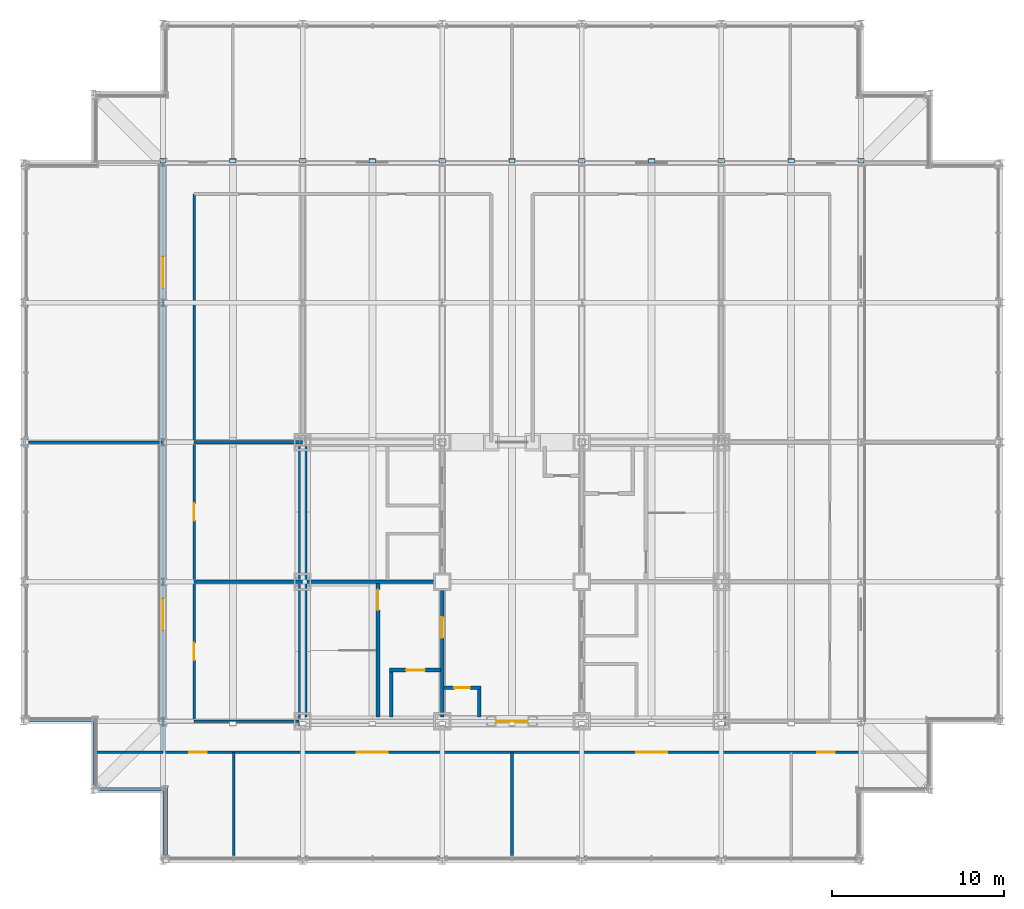
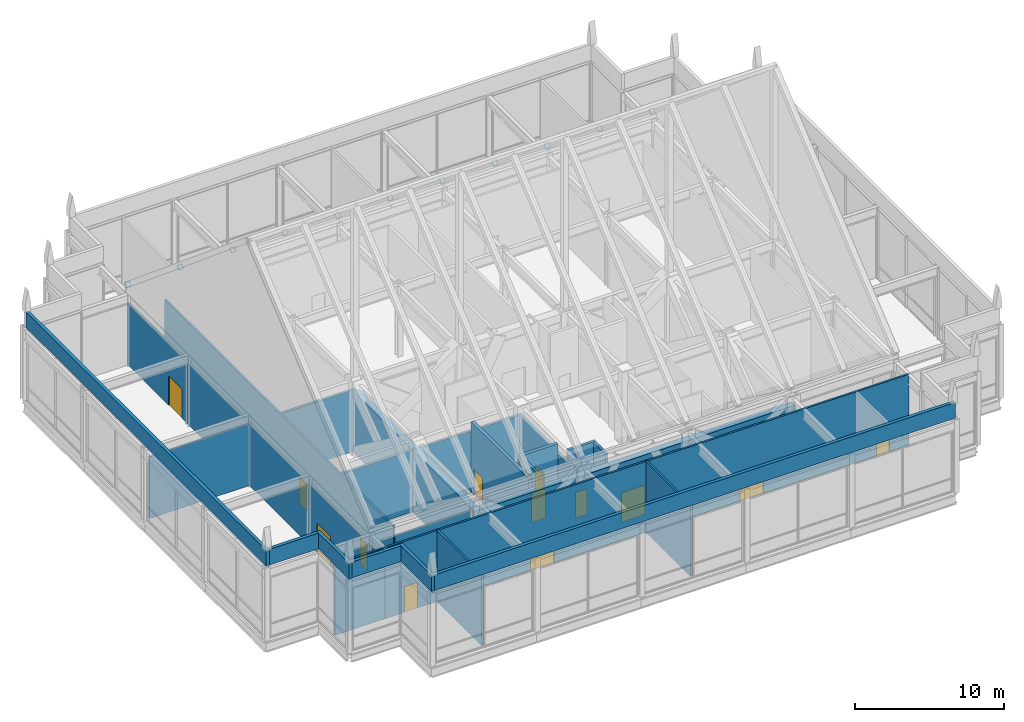
# One storey, part 19 of 22: 25 walls, 13 doors, 11 plates, 13 openings.
"""IFC4 building model written with IfcOpenShell, lengths in metres."""

import ifcopenshell
import ifcopenshell.guid

model = None  # the IFC model being written
_history = None  # IfcOwnerHistory: only IFC2X3 demands one
_inside = {}  # id of a spatial element -> (the spatial element, [elements in it])
_under = {}  # id of a project, library or spatial element -> (it, [spatial elements below it])
_declared = {}  # id of a project -> (the project, [libraries it declares])
_typed = {}  # id of a type object -> (the type object, [elements of that type])
_made_of = {}  # id of a material, layer set ... -> (it, [elements and type objects made of it])


def new_model(schema):
    """Start an empty IFC model of exactly this schema.

    Asked for "IFC4X3", IfcOpenShell would pick the latest addendum, in which some entities
    have other attributes; the version numbers below select the first issue.
    IFC2X3 requires an IfcOwnerHistory on every rooted entity: one is made here for all.
    """
    global model, _history
    if schema == "IFC4X3":
        model = ifcopenshell.file(schema_version=(4, 3, 0, 0))
    else:
        model = ifcopenshell.file(schema=schema)
    _inside.clear()
    _under.clear()
    _declared.clear()
    _typed.clear()
    _made_of.clear()
    _history = None
    if model.schema == "IFC2X3":
        org = make("IfcOrganization", Name="unknown")
        user = make(
            "IfcPersonAndOrganization",
            ThePerson=make("IfcPerson", FamilyName="unknown"),
            TheOrganization=org,
        )
        app = make(
            "IfcApplication",
            ApplicationDeveloper=org,
            Version="unknown",
            ApplicationFullName="unknown",
            ApplicationIdentifier="unknown",
        )
        _history = make(
            "IfcOwnerHistory",
            OwningUser=user,
            OwningApplication=app,
            ChangeAction="ADDED",
            CreationDate=0,
        )
    return model


def make(cls, **values):
    """One entity of the class cls with the attributes given. An attribute that is None is left unset."""
    return model.create_entity(
        cls, **{name: value for name, value in values.items() if value is not None}
    )


def rooted(cls, **values):
    """An entity with a GlobalId (a new one), such as an element, a storey or a relation."""
    return make(cls, GlobalId=ifcopenshell.guid.new(), OwnerHistory=_history, **values)


def si_unit(unit_type, name, prefix=None):
    """IfcSIUnit, for example si_unit("LENGTHUNIT", "METRE", prefix="MILLI")."""
    return make("IfcSIUnit", UnitType=unit_type, Prefix=prefix, Name=name)


def assignment(units):
    """IfcUnitAssignment: the units of a project."""
    return None if units is None else make("IfcUnitAssignment", Units=units)


def point(xyz):
    """IfcCartesianPoint."""
    return None if xyz is None else make("IfcCartesianPoint", Coordinates=xyz)


def direction(xyz):
    """IfcDirection."""
    return None if xyz is None else make("IfcDirection", DirectionRatios=xyz)


def frame(location, z_axis=None, x_axis=None):
    """IfcAxis2Placement3D, a coordinate frame: its origin and axes. An axis left out is left unset."""
    return make(
        "IfcAxis2Placement3D",
        Location=point(location),
        Axis=direction(z_axis),
        RefDirection=direction(x_axis),
    )


def frame_2d(location, x_axis=None):
    """IfcAxis2Placement2D, a coordinate frame in the plane: its origin and x axis."""
    return make(
        "IfcAxis2Placement2D", Location=point(location), RefDirection=direction(x_axis)
    )


def origin():
    """The frame at (0, 0, 0) with its axes left unset."""
    return frame((0.0, 0.0, 0.0))


def place(relative_to, where):
    """IfcLocalPlacement: puts the frame where relative to a parent placement (None: the world)."""
    return make(
        "IfcLocalPlacement", PlacementRelTo=relative_to, RelativePlacement=where
    )


def context(
    kind, dimensions, precision=None, world=None, true_north=None, identifier=None
):
    """IfcGeometricRepresentationContext, for example the 3D "Model" context."""
    return make(
        "IfcGeometricRepresentationContext",
        ContextIdentifier=identifier,
        ContextType=kind,
        CoordinateSpaceDimension=dimensions,
        Precision=precision,
        WorldCoordinateSystem=world,
        TrueNorth=true_north,
    )


def subcontext(parent, identifier, kind, view, scale=None):
    """IfcGeometricRepresentationSubContext, for example "Body" below "Model"."""
    return make(
        "IfcGeometricRepresentationSubContext",
        ContextIdentifier=identifier,
        ContextType=kind,
        ParentContext=parent,
        TargetScale=scale,
        TargetView=view,
    )


def project(units=None, contexts=None):
    """IfcProject with its units and contexts."""
    return rooted(
        "IfcProject",
        Name="project",
        RepresentationContexts=contexts,
        UnitsInContext=assignment(units),
    )


def spatial(cls, under=None, at=None, **own):
    """A site, building, storey or space (cls), placed at a placement, below another one or the project."""
    s = rooted(cls, ObjectPlacement=at, **own)
    if under is not None:
        _under.setdefault(under.id(), (under, []))[1].append(s)
    return s


def polyline(points):
    """IfcPolyline through the points."""
    return make("IfcPolyline", Points=[point(p) for p in points])


def profile(cls, at=None, kind="AREA", **sizes):
    """A parametric profile (cls). Its sizes go by their IFC names, for example OverallWidth=200.0."""
    return make(cls, ProfileType=kind, Position=at, **sizes)


def rectangle(**sizes):
    """IfcRectangleProfileDef."""
    return profile("IfcRectangleProfileDef", **sizes)


def outline(outer, holes=None, kind="AREA"):
    """IfcArbitraryClosedProfileDef: a profile drawn as a closed curve; with holes, ...WithVoids."""
    if holes is None:
        return make("IfcArbitraryClosedProfileDef", ProfileType=kind, OuterCurve=outer)
    return make(
        "IfcArbitraryProfileDefWithVoids",
        ProfileType=kind,
        OuterCurve=outer,
        InnerCurves=holes,
    )


def extrude(swept, where, along, depth):
    """IfcExtrudedAreaSolid: the profile swept, set in the frame where, extruded along a direction by depth."""
    return make(
        "IfcExtrudedAreaSolid",
        SweptArea=swept,
        Position=where,
        ExtrudedDirection=direction(along),
        Depth=depth,
    )


def shape(context_of_items, identifier, shape_type, items):
    """IfcShapeRepresentation: the items that make up one representation, for example the "Body"."""
    return make(
        "IfcShapeRepresentation",
        ContextOfItems=context_of_items,
        RepresentationIdentifier=identifier,
        RepresentationType=shape_type,
        Items=items,
    )


def material(Name=None, Category=None):
    """IfcMaterial."""
    return make("IfcMaterial", Name=Name, Category=Category)


def layer(
    of_material, thickness, ventilated=None, Name=None, Category=None, Priority=None
):
    """IfcMaterialLayer: one layer of a wall or slab, of a material (None: an air gap)."""
    return make(
        "IfcMaterialLayer",
        Material=of_material,
        LayerThickness=thickness,
        IsVentilated=ventilated,
        Name=Name,
        Category=Category,
        Priority=Priority,
    )


def layer_set(layers, Name=None):
    """IfcMaterialLayerSet."""
    return make("IfcMaterialLayerSet", MaterialLayers=layers, LayerSetName=Name)


def made_of(thing, what):
    """Note that an element or type object is made of a material, layer set ...; save() writes the relation."""
    if what is not None:
        _made_of.setdefault(what.id(), (what, []))[1].append(thing)
    return thing


def type_object(cls, material=None, **own):
    """A type object (cls), such as IfcWallType, which elements share."""
    return made_of(rooted(cls, **own), material)


def element(
    cls,
    number,
    at=None,
    inside=None,
    cuts=None,
    type_object=None,
    material=None,
    context=None,
    identifier="Body",
    shape_type=None,
    held_by="IfcProductDefinitionShape",
    body=None,
    shapes=None,
    **own,
):
    """One element of the class cls, such as IfcWall. Its Tag is "e" and its number.

    at: its placement. inside: the storey or other place that contains it. cuts: it is an
    opening in that element (IfcRelVoidsElement). A single representation is given by context,
    identifier, shape_type and body (its items); several are given by shapes. held_by: the class
    of the entity that holds the representations. save() writes the other relations.
    """
    e = rooted(cls, Tag="e%d" % number, ObjectPlacement=at, **own)
    if body is not None:
        shapes = [shape(context, identifier, shape_type, body)]
    if shapes is not None:
        e.Representation = make(held_by, Representations=shapes)
    if inside is not None:
        _inside.setdefault(inside.id(), (inside, []))[1].append(e)
    if cuts is not None:
        rooted(
            "IfcRelVoidsElement", RelatingBuildingElement=cuts, RelatedOpeningElement=e
        )
    if type_object is not None:
        _typed.setdefault(type_object.id(), (type_object, []))[1].append(e)
    return made_of(e, material)


def fill(opening, filler):
    """IfcRelFillsElement: the door or window that sits in an opening."""
    return rooted(
        "IfcRelFillsElement",
        RelatingOpeningElement=opening,
        RelatedBuildingElement=filler,
    )


def aggregate(whole, parts):
    """IfcRelAggregates: a whole, such as a stair, and the parts it consists of."""
    return rooted("IfcRelAggregates", RelatingObject=whole, RelatedObjects=parts)


def save(model, path):
    """Write the relations noted so far, then the file.

    IfcRelAggregates (storeys below a building ...), IfcRelContainedInSpatialStructure (elements
    in a storey), IfcRelDefinesByType, IfcRelAssociatesMaterial and IfcRelDeclares: one each for
    every whole, place, type object, material and project.
    """
    for whole, parts in _under.values():
        aggregate(whole, parts)
    for where, things in _inside.values():
        rooted(
            "IfcRelContainedInSpatialStructure",
            RelatedElements=things,
            RelatingStructure=where,
        )
    for kind, things in _typed.values():
        rooted("IfcRelDefinesByType", RelatedObjects=things, RelatingType=kind)
    for what, things in _made_of.values():
        rooted("IfcRelAssociatesMaterial", RelatedObjects=things, RelatingMaterial=what)
    for by, libraries in _declared.values():
        rooted("IfcRelDeclares", RelatingContext=by, RelatedDefinitions=libraries)
    model.write(path)


model = new_model("IFC4")

# Units and contexts
model_context = context("Model", 3, precision=1e-05, world=origin(), true_north=direction((0.0, 1.0)))
body_context = subcontext(model_context, "Body", "Model", "MODEL_VIEW")
ifc_project = project(units=[si_unit("LENGTHUNIT", "METRE"), si_unit("AREAUNIT", "SQUARE_METRE"), si_unit("VOLUMEUNIT", "CUBIC_METRE"), si_unit("PLANEANGLEUNIT", "RADIAN"), si_unit("MASSUNIT", "GRAM", prefix="KILO")], contexts=[model_context])

# Site, building, storey
site_placement = place(None, origin())
site = spatial("IfcSite", under=ifc_project, at=site_placement, CompositionType="ELEMENT")
building_placement = place(site_placement, origin())
building = spatial("IfcBuilding", under=site, at=building_placement, Name="Kopane Lantern Tower", CompositionType="ELEMENT")
storey_placement = place(building_placement, frame((0.0, 0.0, 303.89990234375)))
storey = spatial("IfcBuildingStorey", under=building, at=storey_placement, Name="L77", CompositionType="ELEMENT", Elevation=303.89990234375)

# Plates
ifc_material_1 = material(Name="Steel S355JR", Category="steel")
ifc_layer_1 = layer(ifc_material_1, 0.02490234375)
ifc_layer_set_1 = layer_set([ifc_layer_1], Name="STEEL END CAP PLATE PL25")
plate_type = type_object("IfcPlateType", Name="STEEL END CAP PLATE PL25", PredefinedType="USERDEFINED", material=ifc_layer_set_1)
for number, where, z_axis, x_axis, name in (
    (1, (7.91552734375, 56.704833984375, 6.32470703125), (0.0, -0.76816609319, 0.64025061755), (1.0, 0.0, 0.0), "Lantern rafter end cap plate N"),
    (2, (11.965576171875, 56.704833984375, 6.32470703125), (0.0, -0.76816609319, 0.64025061755), (1.0, 0.0, 0.0), "Lantern rafter end cap plate N"),
):
    element("IfcPlate", number, at=place(storey_placement, frame(where, z_axis=z_axis, x_axis=x_axis)), inside=storey, type_object=plate_type, Name=name, ObjectType="PLATE", PredefinedType="USERDEFINED", context=body_context, shape_type="SweptSolid", body=[
        extrude(outline(polyline([(0.0, 0.0), (0.368896484375, 0.0), (0.368896484375, 0.3626357054736039), (0.0, 0.3626357054736039), (0.0, 0.0)])), origin(), (0.0, 0.0, -1.0), 0.02490234375),
    ])
for number, where, z_axis, x_axis, name in (
    (3, (16.015380859375, 56.704833984375, 6.32470703125), (0.0, -0.76816609319, 0.64025061755), (1.0, 0.0, 0.0), "Lantern rafter end cap plate N"),
    (4, (20.0654296875, 56.704833984375, 6.32470703125), (0.0, -0.76816609319, 0.64025061755), (1.0, 0.0, 0.0), "Lantern rafter end cap plate N"),
    (5, (24.115478515625, 56.704833984375, 6.32470703125), (0.0, -0.76816609319, 0.64025061755), (1.0, 0.0, 0.0), "Lantern rafter end cap plate N"),
):
    element("IfcPlate", number, at=place(storey_placement, frame(where, z_axis=z_axis, x_axis=x_axis)), inside=storey, type_object=plate_type, Name=name, ObjectType="PLATE", PredefinedType="USERDEFINED", context=body_context, shape_type="SweptSolid", body=[
        extrude(outline(polyline([(0.0, 0.0), (0.369140625, 0.0), (0.369140625, 0.36263570547360385), (0.0, 0.36263570547360385), (0.0, 0.0)])), origin(), (0.0, 0.0, -1.0), 0.02490234375),
    ])
for number, where, z_axis, x_axis, name in (
    (6, (28.16552734375, 56.704833984375, 6.32470703125), (0.0, -0.76816609319, 0.64025061755), (1.0, 0.0, 0.0), "Lantern rafter end cap plate N"),
    (7, (32.215576171875, 56.704833984375, 6.32470703125), (0.0, -0.76816609319, 0.64025061755), (1.0, 0.0, 0.0), "Lantern rafter end cap plate N"),
):
    element("IfcPlate", number, at=place(storey_placement, frame(where, z_axis=z_axis, x_axis=x_axis)), inside=storey, type_object=plate_type, Name=name, ObjectType="PLATE", PredefinedType="USERDEFINED", context=body_context, shape_type="SweptSolid", body=[
        extrude(outline(polyline([(0.0, 0.0), (0.368896484375, 0.0), (0.368896484375, 0.3626357054736039), (0.0, 0.3626357054736039), (0.0, 0.0)])), origin(), (0.0, 0.0, -1.0), 0.02490234375),
    ])
for number, where, z_axis, x_axis, name in (
    (8, (36.265380859375, 56.704833984375, 6.32470703125), (0.0, -0.76816609319, 0.64025061755), (1.0, 0.0, 0.0), "Lantern rafter end cap plate N"),
    (9, (40.3154296875, 56.704833984375, 6.32470703125), (0.0, -0.76816609319, 0.64025061755), (1.0, 0.0, 0.0), "Lantern rafter end cap plate N"),
    (10, (44.365478515625, 56.704833984375, 6.32470703125), (0.0, -0.76816609319, 0.64025061755), (1.0, 0.0, 0.0), "Lantern rafter end cap plate N"),
):
    element("IfcPlate", number, at=place(storey_placement, frame(where, z_axis=z_axis, x_axis=x_axis)), inside=storey, type_object=plate_type, Name=name, ObjectType="PLATE", PredefinedType="USERDEFINED", context=body_context, shape_type="SweptSolid", body=[
        extrude(outline(polyline([(0.0, 0.0), (0.369140625, 0.0), (0.369140625, 0.36263570547360385), (0.0, 0.36263570547360385), (0.0, 0.0)])), origin(), (0.0, 0.0, -1.0), 0.02490234375),
    ])
plate_placement = place(storey_placement, frame((48.41552734375, 56.704833984375, 6.32470703125), z_axis=(0.0, -0.76816609319, 0.64025061755), x_axis=(1.0, 0.0, 0.0)))
element("IfcPlate", 11, at=plate_placement, inside=storey, type_object=plate_type, Name="Lantern rafter end cap plate N", ObjectType="PLATE", PredefinedType="USERDEFINED", context=body_context, shape_type="SweptSolid", body=[
    extrude(outline(polyline([(0.0, 0.0), (0.368896484375, 0.0), (0.368896484375, 0.3626357054736039), (0.0, 0.3626357054736039), (0.0, 0.0)])), origin(), (0.0, 0.0, -1.0), 0.02490234375),
])

# Wall, opening, door
ifc_material_2 = material(Name="Gypsum shaft wall EI 120", Category="gypsum")
ifc_layer_2 = layer(ifc_material_2, 0.5)
ifc_layer_set_2 = layer_set([ifc_layer_2], Name="CORE PERIMETER WALL 500 EI 120")
wall_type_1 = type_object("IfcWallType", Name="CORE PERIMETER WALL 500 EI 120", PredefinedType="SOLIDWALL", material=ifc_layer_set_2)
wall_1_placement = place(storey_placement, frame((15.949951171875, 24.300048828125, 0.0), z_axis=(0.0, 0.0, 1.0), x_axis=(1.0, 0.0, 0.0)))
wall_1 = element("IfcWall", 12, at=wall_1_placement, inside=storey, type_object=wall_type_1, Name="Core shaft wall L77 PS", PredefinedType="SOLIDWALL", context=body_context, shape_type="SweptSolid", body=[
    extrude(rectangle(XDim=24.800048828125, YDim=0.5, at=frame_2d((12.39990234375, 0.0))), origin(), (0.0, 0.0, 1.0), 5.037841796875),
])
opening_1_placement = place(wall_1_placement, frame((11.5, 0.0, 0.0)))
opening_1 = element("IfcOpeningElement", 13, at=opening_1_placement, cuts=wall_1, Name="Opening 77.CE-S", PredefinedType="OPENING", context=body_context, shape_type="SweptSolid", body=[
    extrude(rectangle(XDim=1.800048828125, YDim=2.39990234375, at=frame_2d((0.89990234375, 1.199951171875))), frame((0.0, 0.260009765625, 0.0), z_axis=(0.0, -1.0, 0.0), x_axis=(1.0, 0.0, 0.0)), (0.0, 0.0, 1.0), 0.52001953125),
])
ifc_material_3 = material(Name="Steel door set", Category="steel")
door_type_1 = type_object("IfcDoorType", Name="CORE ENTRY DOOR 1800x2400 FD60S", OperationType="DOUBLE_DOOR_SINGLE_SWING", PredefinedType="DOOR", material=ifc_material_3)
door_1_placement = place(opening_1_placement, origin())
door_1 = element("IfcDoor", 14, at=door_1_placement, inside=storey, type_object=door_type_1, Name="Core entry door L77 south", OperationType="DOUBLE_DOOR_SINGLE_SWING", OverallHeight=2.39990234375, OverallWidth=1.800048828125, PredefinedType="DOOR", context=body_context, shape_type="SweptSolid", body=[
    extrude(rectangle(XDim=1.800048828125, YDim=2.39990234375, at=frame_2d((0.89990234375, 1.199951171875))), frame((0.0, 0.02490234375, 0.0), z_axis=(0.0, -1.0, 0.0), x_axis=(1.0, 0.0, 0.0)), (0.0, 0.0, 1.0), 0.050048828125),
])
fill(opening_1, door_1)

# Wall
wall_2_placement = place(storey_placement, frame((16.199951171875, 24.550048828125, 0.0), z_axis=(0.0, 0.0, 1.0), x_axis=(0.0, 1.0, 0.0)))
element("IfcWall", 15, at=wall_2_placement, inside=storey, type_object=wall_type_1, Name="Core shaft wall L77 PW", PredefinedType="SOLIDWALL", context=body_context, shape_type="SweptSolid", body=[
    extrude(rectangle(XDim=15.699951171875, YDim=0.5, at=frame_2d((7.85009765625, 0.0))), origin(), (0.0, 0.0, 1.0), 5.037841796875),
])

# Wall, opening, door
ifc_material_4 = material(Name="Gypsum shaft wall EI 120", Category="gypsum")
ifc_layer_3 = layer(ifc_material_4, 0.25)
ifc_layer_set_3 = layer_set([ifc_layer_3], Name="CORE SHAFT WALL 250 EI 120")
wall_type_2 = type_object("IfcWallType", Name="CORE SHAFT WALL 250 EI 120", PredefinedType="SOLIDWALL", material=ifc_layer_set_3)
wall_3_placement = place(storey_placement, frame((20.574951171875, 24.550048828125, 0.0), z_axis=(0.0, 0.0, 1.0), x_axis=(0.0, 1.0, 0.0)))
wall_3 = element("IfcWall", 16, at=wall_3_placement, inside=storey, type_object=wall_type_2, Name="Core shaft wall L77 XST1", PredefinedType="SOLIDWALL", context=body_context, shape_type="SweptSolid", body=[
    extrude(rectangle(XDim=7.75, YDim=0.25, at=frame_2d((3.875, 0.0))), origin(), (0.0, 0.0, 1.0), 5.800048828125),
])
opening_2_placement = place(wall_3_placement, frame((6.199951171875, 0.0, 0.0)))
opening_2 = element("IfcOpeningElement", 17, at=opening_2_placement, cuts=wall_3, Name="Opening 77.SD1", PredefinedType="OPENING", context=body_context, shape_type="SweptSolid", body=[
    extrude(rectangle(XDim=1.199951171875, YDim=2.10009765625, at=frame_2d((0.60009765625, 1.050048828125))), frame((0.0, 0.135009765625, 0.0), z_axis=(0.0, -1.0, 0.0), x_axis=(1.0, 0.0, 0.0)), (0.0, 0.0, 1.0), 0.27001953125),
])
ifc_material_5 = material(Name="Steel door set", Category="steel")
door_type_2 = type_object("IfcDoorType", Name="STAIR DOOR 1200x2100 FD60S", OperationType="SINGLE_SWING_LEFT", PredefinedType="DOOR", material=ifc_material_5)
door_2_placement = place(opening_2_placement, origin())
door_2 = element("IfcDoor", 18, at=door_2_placement, inside=storey, type_object=door_type_2, Name="Stair door ST1 L77", OperationType="SINGLE_SWING_LEFT", OverallHeight=2.10009765625, OverallWidth=1.199951171875, PredefinedType="DOOR", context=body_context, shape_type="SweptSolid", body=[
    extrude(rectangle(XDim=1.199951171875, YDim=2.10009765625, at=frame_2d((0.60009765625, 1.050048828125))), frame((0.0, 0.02490234375, 0.0), z_axis=(0.0, -1.0, 0.0), x_axis=(1.0, 0.0, 0.0)), (0.0, 0.0, 1.0), 0.050048828125),
])
fill(opening_2, door_2)

wall_4_placement = place(storey_placement, frame((21.25, 27.27490234375, 0.0), z_axis=(0.0, 0.0, 1.0), x_axis=(1.0, 0.0, 0.0)))
wall_4 = element("IfcWall", 19, at=wall_4_placement, inside=storey, type_object=wall_type_2, Name="Core shaft wall L77 YLF1", PredefinedType="SOLIDWALL", context=body_context, shape_type="SweptSolid", body=[
    extrude(rectangle(XDim=2.949951171875, YDim=0.25, at=frame_2d((1.47509765625, 0.0))), origin(), (0.0, 0.0, 1.0), 5.800048828125),
])
opening_3_placement = place(wall_4_placement, frame((0.949951171875, 0.0, 0.0)))
opening_3 = element("IfcOpeningElement", 20, at=opening_3_placement, cuts=wall_4, Name="Opening 77.LD-LF1", PredefinedType="OPENING", context=body_context, shape_type="SweptSolid", body=[
    extrude(rectangle(XDim=1.10009765625, YDim=2.39990234375, at=frame_2d((0.550048828125, 1.199951171875))), frame((0.0, 0.135009765625, 0.0), z_axis=(0.0, -1.0, 0.0), x_axis=(1.0, 0.0, 0.0)), (0.0, 0.0, 1.0), 0.27001953125),
])
ifc_material_6 = material(Name="Steel door set", Category="steel")
door_type_3 = type_object("IfcDoorType", Name="LIFT LANDING DOOR 1100x2400 FD60", OperationType="DOUBLE_DOOR_SLIDING", PredefinedType="DOOR", material=ifc_material_6)
door_3_placement = place(opening_3_placement, origin())
door_3 = element("IfcDoor", 21, at=door_3_placement, inside=storey, type_object=door_type_3, Name="Landing door LF1 L77", OperationType="DOUBLE_DOOR_SLIDING", OverallHeight=2.39990234375, OverallWidth=1.10009765625, PredefinedType="DOOR", context=body_context, shape_type="SweptSolid", body=[
    extrude(rectangle(XDim=1.10009765625, YDim=2.39990234375, at=frame_2d((0.550048828125, 1.199951171875))), frame((0.0, 0.02490234375, 0.0), z_axis=(0.0, -1.0, 0.0), x_axis=(1.0, 0.0, 0.0)), (0.0, 0.0, 1.0), 0.050048828125),
])
fill(opening_3, door_3)

# Wall, openings, doors
ifc_material_7 = material(Name="Gypsum board on steel studs", Category="steel")
ifc_layer_4 = layer(ifc_material_7, 0.14990234375)
ifc_layer_set_4 = layer_set([ifc_layer_4], Name="CORRIDOR WALL 150 EI 60")
wall_type_3 = type_object("IfcWallType", Name="CORRIDOR WALL 150 EI 60", PredefinedType="PARTITIONING", material=ifc_layer_set_4)
wall_5_placement = place(storey_placement, frame((8.10009765625, 22.5, 0.0), z_axis=(0.0, 0.0, 1.0), x_axis=(1.0, 0.0, 0.0)))
wall_5 = element("IfcWall", 22, at=wall_5_placement, inside=storey, type_object=wall_type_3, Name="Corridor Wall 150 Ei 60 L77", PredefinedType="PARTITIONING", context=body_context, shape_type="SweptSolid", body=[
    extrude(rectangle(XDim=40.5, YDim=0.14990234375, at=frame_2d((20.25, 0.0))), origin(), (0.0, 0.0, 1.0), 5.800048828125),
])
opening_4_placement = place(wall_5_placement, frame((11.25, 0.0, 0.0)))
opening_4 = element("IfcOpeningElement", 23, at=opening_4_placement, cuts=wall_5, Name="Opening L77-009", PredefinedType="OPENING", context=body_context, shape_type="SweptSolid", body=[
    extrude(rectangle(XDim=1.800048828125, YDim=2.39990234375, at=frame_2d((0.89990234375, 1.199951171875))), frame((0.0, 0.0849609375, 0.0), z_axis=(0.0, -1.0, 0.0), x_axis=(1.0, 0.0, 0.0)), (0.0, 0.0, 1.0), 0.169921875),
])
opening_5_placement = place(wall_5_placement, frame((27.449951171875, 0.0, 0.0)))
opening_5 = element("IfcOpeningElement", 24, at=opening_5_placement, cuts=wall_5, Name="Opening L77-010", PredefinedType="OPENING", context=body_context, shape_type="SweptSolid", body=[
    extrude(rectangle(XDim=1.800048828125, YDim=2.39990234375, at=frame_2d((0.89990234375, 1.199951171875))), frame((0.0, 0.0849609375, 0.0), z_axis=(0.0, -1.0, 0.0), x_axis=(1.0, 0.0, 0.0)), (0.0, 0.0, 1.0), 0.169921875),
])
opening_6_placement = place(wall_5_placement, frame((1.52490234375, 0.0, 0.0)))
opening_6 = element("IfcOpeningElement", 25, at=opening_6_placement, cuts=wall_5, Name="Opening L77-017", PredefinedType="OPENING", context=body_context, shape_type="SweptSolid", body=[
    extrude(rectangle(XDim=1.0, YDim=2.10009765625, at=frame_2d((0.5, 1.050048828125))), frame((0.0, 0.0849609375, 0.0), z_axis=(0.0, -1.0, 0.0), x_axis=(1.0, 0.0, 0.0)), (0.0, 0.0, 1.0), 0.169921875),
])
opening_7_placement = place(wall_5_placement, frame((37.97509765625, 0.0, 0.0)))
opening_7 = element("IfcOpeningElement", 26, at=opening_7_placement, cuts=wall_5, Name="Opening L77-018", PredefinedType="OPENING", context=body_context, shape_type="SweptSolid", body=[
    extrude(rectangle(XDim=1.0, YDim=2.10009765625, at=frame_2d((0.5, 1.050048828125))), frame((0.0, 0.0849609375, 0.0), z_axis=(0.0, -1.0, 0.0), x_axis=(1.0, 0.0, 0.0)), (0.0, 0.0, 1.0), 0.169921875),
])
ifc_material_8 = material(Name="Steel door set", Category="steel")
door_type_4 = type_object("IfcDoorType", Name="DOOR D5 1000x2100 FD60", OperationType="SINGLE_SWING_LEFT", PredefinedType="DOOR", material=ifc_material_8)
door_4_placement = place(opening_6_placement, origin())
door_4 = element("IfcDoor", 27, at=door_4_placement, inside=storey, type_object=door_type_4, Name="Door L77-017", OperationType="SINGLE_SWING_LEFT", OverallHeight=2.10009765625, OverallWidth=1.0, PredefinedType="DOOR", context=body_context, shape_type="SweptSolid", body=[
    extrude(rectangle(XDim=1.0, YDim=2.10009765625, at=frame_2d((0.5, 1.050048828125))), frame((0.0, 0.02490234375, 0.0), z_axis=(0.0, -1.0, 0.0), x_axis=(1.0, 0.0, 0.0)), (0.0, 0.0, 1.0), 0.050048828125),
])
fill(opening_6, door_4)
door_5_placement = place(opening_7_placement, origin())
door_5 = element("IfcDoor", 28, at=door_5_placement, inside=storey, type_object=door_type_4, Name="Door L77-018", OperationType="SINGLE_SWING_RIGHT", OverallHeight=2.10009765625, OverallWidth=1.0, PredefinedType="DOOR", context=body_context, shape_type="SweptSolid", body=[
    extrude(rectangle(XDim=1.0, YDim=2.10009765625, at=frame_2d((0.5, 1.050048828125))), frame((0.0, 0.02490234375, 0.0), z_axis=(0.0, -1.0, 0.0), x_axis=(1.0, 0.0, 0.0)), (0.0, 0.0, 1.0), 0.050048828125),
])
fill(opening_7, door_5)
ifc_material_9 = material(Name="Steel door set", Category="steel")
door_type_5 = type_object("IfcDoorType", Name="DOOR D8 1800x2400 FD120", OperationType="SINGLE_SWING_LEFT", PredefinedType="DOOR", material=ifc_material_9)
door_6_placement = place(opening_4_placement, origin())
door_6 = element("IfcDoor", 29, at=door_6_placement, inside=storey, type_object=door_type_5, Name="Door L77-009", OperationType="DOUBLE_DOOR_SINGLE_SWING", OverallHeight=2.39990234375, OverallWidth=1.800048828125, PredefinedType="DOOR", context=body_context, shape_type="SweptSolid", body=[
    extrude(rectangle(XDim=1.800048828125, YDim=2.39990234375, at=frame_2d((0.89990234375, 1.199951171875))), frame((0.0, 0.02490234375, 0.0), z_axis=(0.0, -1.0, 0.0), x_axis=(1.0, 0.0, 0.0)), (0.0, 0.0, 1.0), 0.050048828125),
])
fill(opening_4, door_6)
door_7_placement = place(opening_5_placement, origin())
door_7 = element("IfcDoor", 30, at=door_7_placement, inside=storey, type_object=door_type_5, Name="Door L77-010", OperationType="DOUBLE_DOOR_SINGLE_SWING", OverallHeight=2.39990234375, OverallWidth=1.800048828125, PredefinedType="DOOR", context=body_context, shape_type="SweptSolid", body=[
    extrude(rectangle(XDim=1.800048828125, YDim=2.39990234375, at=frame_2d((0.89990234375, 1.199951171875))), frame((0.0, 0.02490234375, 0.0), z_axis=(0.0, -1.0, 0.0), x_axis=(1.0, 0.0, 0.0)), (0.0, 0.0, 1.0), 0.050048828125),
])
fill(opening_5, door_7)

wall_6_placement = place(storey_placement, frame((8.10009765625, 22.5, 0.0), z_axis=(0.0, 0.0, 1.0), x_axis=(0.0, 1.0, 0.0)))
wall_6 = element("IfcWall", 31, at=wall_6_placement, inside=storey, type_object=wall_type_3, Name="Corridor Wall 150 Ei 60 L77", PredefinedType="PARTITIONING", context=body_context, shape_type="SweptSolid", body=[
    extrude(rectangle(XDim=34.239990234375, YDim=0.14990234375, at=frame_2d((17.1201171875, 0.0))), origin(), (0.0, 0.0, 1.0), 5.037841796875),
])
opening_8_placement = place(wall_6_placement, frame((7.10009765625, 0.0, 0.0)))
opening_8 = element("IfcOpeningElement", 32, at=opening_8_placement, cuts=wall_6, Name="Opening L77-013", PredefinedType="OPENING", context=body_context, shape_type="SweptSolid", body=[
    extrude(rectangle(XDim=1.800048828125, YDim=2.39990234375, at=frame_2d((0.89990234375, 1.199951171875))), frame((0.0, 0.0849609375, 0.0), z_axis=(0.0, -1.0, 0.0), x_axis=(1.0, 0.0, 0.0)), (0.0, 0.0, 1.0), 0.169921875),
])
opening_9_placement = place(wall_6_placement, frame((26.949951171875, 0.0, 0.0)))
opening_9 = element("IfcOpeningElement", 33, at=opening_9_placement, cuts=wall_6, Name="Opening L77-014", PredefinedType="OPENING", context=body_context, shape_type="SweptSolid", body=[
    extrude(rectangle(XDim=1.800048828125, YDim=2.39990234375, at=frame_2d((0.89990234375, 1.199951171875))), frame((0.0, 0.0849609375, 0.0), z_axis=(0.0, -1.0, 0.0), x_axis=(1.0, 0.0, 0.0)), (0.0, 0.0, 1.0), 0.169921875),
])
door_8_placement = place(opening_8_placement, origin())
door_8 = element("IfcDoor", 34, at=door_8_placement, inside=storey, type_object=door_type_5, Name="Door L77-013", OperationType="DOUBLE_DOOR_SINGLE_SWING", OverallHeight=2.39990234375, OverallWidth=1.800048828125, PredefinedType="DOOR", context=body_context, shape_type="SweptSolid", body=[
    extrude(rectangle(XDim=1.800048828125, YDim=2.39990234375, at=frame_2d((0.89990234375, 1.199951171875))), frame((0.0, 0.02490234375, 0.0), z_axis=(0.0, -1.0, 0.0), x_axis=(1.0, 0.0, 0.0)), (0.0, 0.0, 1.0), 0.050048828125),
])
fill(opening_8, door_8)
door_9_placement = place(opening_9_placement, origin())
door_9 = element("IfcDoor", 35, at=door_9_placement, inside=storey, type_object=door_type_5, Name="Door L77-014", OperationType="DOUBLE_DOOR_SINGLE_SWING", OverallHeight=2.39990234375, OverallWidth=1.800048828125, PredefinedType="DOOR", context=body_context, shape_type="SweptSolid", body=[
    extrude(rectangle(XDim=1.800048828125, YDim=2.39990234375, at=frame_2d((0.89990234375, 1.199951171875))), frame((0.0, 0.02490234375, 0.0), z_axis=(0.0, -1.0, 0.0), x_axis=(1.0, 0.0, 0.0)), (0.0, 0.0, 1.0), 0.050048828125),
])
fill(opening_9, door_9)

wall_7_placement = place(storey_placement, frame((9.89990234375, 54.89990234375, 0.0), z_axis=(0.0, 0.0, 1.0), x_axis=(0.0, -1.0, 0.0)))
wall_7 = element("IfcWall", 36, at=wall_7_placement, inside=storey, type_object=wall_type_3, Name="Corridor Wall 150 Ei 60 L77", PredefinedType="PARTITIONING", context=body_context, shape_type="SweptSolid", body=[
    extrude(rectangle(XDim=30.599853515625, YDim=0.14990234375, at=frame_2d((15.2998046875, 0.0))), origin(), (0.0, 0.0, 1.0), 5.800048828125),
])
opening_10_placement = place(wall_7_placement, frame((26.050048828125, 0.0, 0.0)))
opening_10 = element("IfcOpeningElement", 37, at=opening_10_placement, cuts=wall_7, Name="Opening L77-001", PredefinedType="OPENING", context=body_context, shape_type="SweptSolid", body=[
    extrude(rectangle(XDim=1.0, YDim=2.10009765625, at=frame_2d((0.5, 1.050048828125))), frame((0.0, 0.0849609375, 0.0), z_axis=(0.0, -1.0, 0.0), x_axis=(1.0, 0.0, 0.0)), (0.0, 0.0, 1.0), 0.169921875),
])
opening_11_placement = place(wall_7_placement, frame((17.949951171875, 0.0, 0.0)))
opening_11 = element("IfcOpeningElement", 38, at=opening_11_placement, cuts=wall_7, Name="Opening L77-002", PredefinedType="OPENING", context=body_context, shape_type="SweptSolid", body=[
    extrude(rectangle(XDim=1.0, YDim=2.10009765625, at=frame_2d((0.5, 1.050048828125))), frame((0.0, 0.0849609375, 0.0), z_axis=(0.0, -1.0, 0.0), x_axis=(1.0, 0.0, 0.0)), (0.0, 0.0, 1.0), 0.169921875),
])
door_10_placement = place(opening_10_placement, origin())
door_10 = element("IfcDoor", 39, at=door_10_placement, inside=storey, type_object=door_type_4, Name="Door L77-001", OperationType="SINGLE_SWING_RIGHT", OverallHeight=2.10009765625, OverallWidth=1.0, PredefinedType="DOOR", context=body_context, shape_type="SweptSolid", body=[
    extrude(rectangle(XDim=1.0, YDim=2.10009765625, at=frame_2d((0.5, 1.050048828125))), frame((0.0, 0.02490234375, 0.0), z_axis=(0.0, -1.0, 0.0), x_axis=(1.0, 0.0, 0.0)), (0.0, 0.0, 1.0), 0.050048828125),
])
fill(opening_10, door_10)
door_11_placement = place(opening_11_placement, origin())
door_11 = element("IfcDoor", 40, at=door_11_placement, inside=storey, type_object=door_type_4, Name="Door L77-002", OperationType="SINGLE_SWING_LEFT", OverallHeight=2.10009765625, OverallWidth=1.0, PredefinedType="DOOR", context=body_context, shape_type="SweptSolid", body=[
    extrude(rectangle(XDim=1.0, YDim=2.10009765625, at=frame_2d((0.5, 1.050048828125))), frame((0.0, 0.02490234375, 0.0), z_axis=(0.0, -1.0, 0.0), x_axis=(1.0, 0.0, 0.0)), (0.0, 0.0, 1.0), 0.050048828125),
])
fill(opening_11, door_11)

# Walls
wall_8_placement = place(storey_placement, frame((9.89990234375, 24.300048828125, 0.0), z_axis=(0.0, 0.0, 1.0), x_axis=(1.0, 0.0, 0.0)))
element("IfcWall", 41, at=wall_8_placement, inside=storey, type_object=wall_type_3, Name="Corridor Wall 150 Ei 60 L77", PredefinedType="PARTITIONING", context=body_context, shape_type="SweptSolid", body=[
    extrude(rectangle(XDim=6.10009765625, YDim=0.14990234375, at=frame_2d((3.050048828125, 0.0))), origin(), (0.0, 0.0, 1.0), 5.037841796875),
])
ifc_material_10 = material(Name="Gypsum board on steel studs", Category="steel")
ifc_layer_5 = layer(ifc_material_10, 0.14990234375)
ifc_layer_set_5 = layer_set([ifc_layer_5], Name="DEMISING WALL 150 EI 60")
wall_type_4 = type_object("IfcWallType", Name="DEMISING WALL 150 EI 60", PredefinedType="PARTITIONING", material=ifc_layer_set_5)
wall_9_placement = place(storey_placement, frame((28.35009765625, 22.5, 0.0), z_axis=(0.0, 0.0, 1.0), x_axis=(0.0, -1.0, 0.0)))
element("IfcWall", 42, at=wall_9_placement, inside=storey, type_object=wall_type_4, Name="Demising Wall 150 Ei 60 L77", PredefinedType="PARTITIONING", context=body_context, shape_type="SweptSolid", body=[
    extrude(rectangle(XDim=6.007080078125, YDim=0.14990234375, at=frame_2d((3.00341796875, 0.0))), origin(), (0.0, 0.0, 1.0), 5.800048828125),
])
wall_10_placement = place(storey_placement, frame((8.10009765625, 40.5, 0.0), z_axis=(0.0, 0.0, 1.0), x_axis=(-1.0, 0.0, 0.0)))
element("IfcWall", 43, at=wall_10_placement, inside=storey, type_object=wall_type_4, Name="Demising Wall 150 Ei 60 L77", PredefinedType="PARTITIONING", context=body_context, shape_type="SweptSolid", body=[
    extrude(rectangle(XDim=7.800048828125, YDim=0.14990234375, at=frame_2d((3.89990234375, 0.0))), origin(), (0.0, 0.0, 1.0), 5.037841796875),
])
wall_11_placement = place(storey_placement, frame((4.222900390625, 22.5, 0.0), z_axis=(0.0, 0.0, 1.0), x_axis=(1.0, 0.0, 0.0)))
element("IfcWall", 44, at=wall_11_placement, inside=storey, type_object=wall_type_4, Name="Demising Wall 150 Ei 60 L77", PredefinedType="PARTITIONING", context=body_context, shape_type="SweptSolid", body=[
    extrude(rectangle(XDim=3.877197265625, YDim=0.14990234375, at=frame_2d((1.9384765625, 0.0))), origin(), (0.0, 0.0, 1.0), 5.800048828125),
])
wall_12_placement = place(storey_placement, frame((12.19775390625, 22.5, 0.0), z_axis=(0.0, 0.0, 1.0), x_axis=(0.0, -1.0, 0.0)))
element("IfcWall", 45, at=wall_12_placement, inside=storey, type_object=wall_type_4, Name="Demising Wall 150 Ei 60 L77", PredefinedType="PARTITIONING", context=body_context, shape_type="SweptSolid", body=[
    extrude(rectangle(XDim=6.007080078125, YDim=0.14990234375, at=frame_2d((3.00341796875, 0.0))), origin(), (0.0, 0.0, 1.0), 5.800048828125),
])
ifc_material_11 = material(Name="Terracotta rainscreen on light steel framing", Category="masonry")
ifc_layer_6 = layer(ifc_material_11, 0.25)
ifc_layer_set_6 = layer_set([ifc_layer_6], Name="PARAPET PW1 250 TERRACOTTA")
wall_type_5 = type_object("IfcWallType", Name="PARAPET PW1 250 TERRACOTTA", PredefinedType="PARAPET", material=ifc_layer_set_6)
wall_13_placement = place(storey_placement, frame((8.35009765625, 16.324951171875, 6.0), z_axis=(0.0, 0.0, 1.0), x_axis=(1.0, 0.0, 0.0)))
element("IfcWall", 46, at=wall_13_placement, inside=storey, type_object=wall_type_5, Name="Parapet L77", PredefinedType="PARAPET", context=body_context, shape_type="SweptSolid", body=[
    extrude(rectangle(XDim=40.25, YDim=0.25, at=frame_2d((20.125, 0.0))), origin(), (0.0, 0.0, 1.0), 1.28515625),
])
wall_14_placement = place(storey_placement, frame((0.125, 56.449951171875, 6.0), z_axis=(0.0, 0.0, 1.0), x_axis=(0.0, -1.0, 0.0)))
element("IfcWall", 47, at=wall_14_placement, inside=storey, type_object=wall_type_5, Name="Parapet L77", PredefinedType="PARAPET", context=body_context, shape_type="SweptSolid", body=[
    extrude(rectangle(XDim=32.14990234375, YDim=0.25, at=frame_2d((16.074951171875, 0.0))), origin(), (0.0, 0.0, 1.0), 1.28515625),
])
wall_15_placement = place(storey_placement, frame((0.25, 24.425048828125, 6.0), z_axis=(0.0, 0.0, 1.0), x_axis=(1.0, 0.0, 0.0)))
element("IfcWall", 48, at=wall_15_placement, inside=storey, type_object=wall_type_5, Name="Parapet L77", PredefinedType="PARAPET", context=body_context, shape_type="SweptSolid", body=[
    extrude(rectangle(XDim=3.800048828125, YDim=0.25, at=frame_2d((1.89990234375, 0.0))), origin(), (0.0, 0.0, 1.0), 1.28515625),
])
wall_16_placement = place(storey_placement, frame((4.175048828125, 24.550048828125, 6.0), z_axis=(0.0, 0.0, 1.0), x_axis=(0.0, -1.0, 0.0)))
element("IfcWall", 49, at=wall_16_placement, inside=storey, type_object=wall_type_5, Name="Parapet L77", PredefinedType="PARAPET", context=body_context, shape_type="SweptSolid", body=[
    extrude(rectangle(XDim=4.300048828125, YDim=0.25, at=frame_2d((2.14990234375, 0.0))), origin(), (0.0, 0.0, 1.0), 1.28515625),
])
wall_17_placement = place(storey_placement, frame((4.300048828125, 20.375, 6.0), z_axis=(0.0, 0.0, 1.0), x_axis=(1.0, 0.0, 0.0)))
element("IfcWall", 50, at=wall_17_placement, inside=storey, type_object=wall_type_5, Name="Parapet L77", PredefinedType="PARAPET", context=body_context, shape_type="SweptSolid", body=[
    extrude(rectangle(XDim=3.800048828125, YDim=0.25, at=frame_2d((1.89990234375, 0.0))), origin(), (0.0, 0.0, 1.0), 1.28515625),
])
wall_18_placement = place(storey_placement, frame((8.22509765625, 20.5, 6.0), z_axis=(0.0, 0.0, 1.0), x_axis=(0.0, -1.0, 0.0)))
element("IfcWall", 51, at=wall_18_placement, inside=storey, type_object=wall_type_5, Name="Parapet L77", PredefinedType="PARAPET", context=body_context, shape_type="SweptSolid", body=[
    extrude(rectangle(XDim=4.300048828125, YDim=0.25, at=frame_2d((2.14990234375, 0.0))), origin(), (0.0, 0.0, 1.0), 1.28515625),
])
ifc_material_12 = material(Name="Concrete masonry", Category="masonry")
ifc_layer_7 = layer(ifc_material_12, 0.199951171875)
ifc_layer_set_7 = layer_set([ifc_layer_7], Name="PLANT ROOM WALL 200 EI 120")
wall_type_6 = type_object("IfcWallType", Name="PLANT ROOM WALL 200 EI 120", PredefinedType="SOLIDWALL", material=ifc_layer_set_7)
for number, where, z_axis, x_axis, name in (
    (52, (9.89990234375, 32.39990234375, 0.0), (0.0, 0.0, 1.0), (1.0, 0.0, 0.0), "Plant Room Wall 200 Ei 120 L77"),
    (53, (9.89990234375, 40.5, 0.0), (0.0, 0.0, 1.0), (1.0, 0.0, 0.0), "Plant Room Wall 200 Ei 120 L77"),
):
    element("IfcWall", number, at=place(storey_placement, frame(where, z_axis=z_axis, x_axis=x_axis)), inside=storey, type_object=wall_type_6, Name=name, PredefinedType="SOLIDWALL", context=body_context, shape_type="SweptSolid", body=[
        extrude(rectangle(XDim=6.300048828125, YDim=0.199951171875, at=frame_2d((3.14990234375, 0.0))), origin(), (0.0, 0.0, 1.0), 5.037841796875),
    ])
ifc_material_13 = material(Name="Gypsum shaft wall EI 120", Category="gypsum")
ifc_layer_8 = layer(ifc_material_13, 0.199951171875)
ifc_layer_set_8 = layer_set([ifc_layer_8], Name="SHAFT WALL 200 EI 120")
wall_type_7 = type_object("IfcWallType", Name="SHAFT WALL 200 EI 120", PredefinedType="SOLIDWALL", material=ifc_layer_set_8)
wall_19_placement = place(storey_placement, frame((16.449951171875, 32.39990234375, 0.0), z_axis=(0.0, 0.0, 1.0), x_axis=(1.0, 0.0, 0.0)))
element("IfcWall", 54, at=wall_19_placement, inside=storey, type_object=wall_type_7, Name="Core shaft wall L77 Y324W", PredefinedType="SOLIDWALL", context=body_context, shape_type="SweptSolid", body=[
    extrude(rectangle(XDim=7.949951171875, YDim=0.199951171875, at=frame_2d((3.97509765625, 0.0))), origin(), (0.0, 0.0, 1.0), 5.037841796875),
])

# Wall, opening, door
wall_20_placement = place(storey_placement, frame((24.300048828125, 24.550048828125, 0.0), z_axis=(0.0, 0.0, 1.0), x_axis=(0.0, 1.0, 0.0)))
wall_20 = element("IfcWall", 55, at=wall_20_placement, inside=storey, type_object=wall_type_7, Name="Core shaft wall L77 X243", PredefinedType="SOLIDWALL", context=body_context, shape_type="SweptSolid", body=[
    extrude(rectangle(XDim=7.75, YDim=0.199951171875, at=frame_2d((3.875, 0.0))), origin(), (0.0, 0.0, 1.0), 5.037841796875),
])
opening_12_placement = place(wall_20_placement, frame((4.60009765625, 0.0, 0.0)))
opening_12 = element("IfcOpeningElement", 56, at=opening_12_placement, cuts=wall_20, Name="Opening 77.FL1", PredefinedType="OPENING", context=body_context, shape_type="SweptSolid", body=[
    extrude(rectangle(XDim=1.199951171875, YDim=2.10009765625, at=frame_2d((0.60009765625, 1.050048828125))), frame((0.0, 0.10986328125, 0.0), z_axis=(0.0, -1.0, 0.0), x_axis=(1.0, 0.0, 0.0)), (0.0, 0.0, 1.0), 0.219970703125),
])
ifc_material_14 = material(Name="Steel door set", Category="steel")
door_type_6 = type_object("IfcDoorType", Name="FIREFIGHTING LOBBY DOOR 1200x2100 FD60S", OperationType="SINGLE_SWING_RIGHT", PredefinedType="DOOR", material=ifc_material_14)
door_12_placement = place(opening_12_placement, origin())
door_12 = element("IfcDoor", 57, at=door_12_placement, inside=storey, type_object=door_type_6, Name="Firefighting lobby door FL1 L77", OperationType="SINGLE_SWING_LEFT", OverallHeight=2.10009765625, OverallWidth=1.199951171875, PredefinedType="DOOR", context=body_context, shape_type="SweptSolid", body=[
    extrude(rectangle(XDim=1.199951171875, YDim=2.10009765625, at=frame_2d((0.60009765625, 1.050048828125))), frame((0.0, 0.02490234375, 0.0), z_axis=(0.0, -1.0, 0.0), x_axis=(1.0, 0.0, 0.0)), (0.0, 0.0, 1.0), 0.050048828125),
])
fill(opening_12, door_12)

# Walls
wall_21_placement = place(storey_placement, frame((21.35009765625, 24.550048828125, 0.0), z_axis=(0.0, 0.0, 1.0), x_axis=(0.0, 1.0, 0.0)))
element("IfcWall", 58, at=wall_21_placement, inside=storey, type_object=wall_type_7, Name="Core shaft wall L77 XLF1", PredefinedType="SOLIDWALL", context=body_context, shape_type="SweptSolid", body=[
    extrude(rectangle(XDim=2.599853515625, YDim=0.199951171875, at=frame_2d((1.2998046875, 0.0))), origin(), (0.0, 0.0, 1.0), 5.800048828125),
])
wall_22_placement = place(storey_placement, frame((26.449951171875, 24.550048828125, 0.0), z_axis=(0.0, 0.0, 1.0), x_axis=(0.0, 1.0, 0.0)))
element("IfcWall", 59, at=wall_22_placement, inside=storey, type_object=wall_type_7, Name="Core shaft wall L77 XRS1", PredefinedType="SOLIDWALL", context=body_context, shape_type="SweptSolid", body=[
    extrude(rectangle(XDim=1.599853515625, YDim=0.199951171875, at=frame_2d((0.7998046875, 0.0))), origin(), (0.0, 0.0, 1.0), 5.800048828125),
])

# Wall, opening, door
wall_23_placement = place(storey_placement, frame((24.39990234375, 26.25, 0.0), z_axis=(0.0, 0.0, 1.0), x_axis=(1.0, 0.0, 0.0)))
wall_23 = element("IfcWall", 60, at=wall_23_placement, inside=storey, type_object=wall_type_7, Name="Core shaft wall L77 YRS1", PredefinedType="SOLIDWALL", context=body_context, shape_type="SweptSolid", body=[
    extrude(rectangle(XDim=2.150146484375, YDim=0.199951171875, at=frame_2d((1.0751953125, 0.0))), origin(), (0.0, 0.0, 1.0), 5.800048828125),
])
opening_13_placement = place(wall_23_placement, frame((0.60009765625, 0.0, 0.0)))
opening_13 = element("IfcOpeningElement", 61, at=opening_13_placement, cuts=wall_23, Name="Opening 77.RS1", PredefinedType="OPENING", context=body_context, shape_type="SweptSolid", body=[
    extrude(rectangle(XDim=0.89990234375, YDim=2.10009765625, at=frame_2d((0.449951171875, 1.050048828125))), frame((0.0, 0.10986328125, 0.0), z_axis=(0.0, -1.0, 0.0), x_axis=(1.0, 0.0, 0.0)), (0.0, 0.0, 1.0), 0.219970703125),
])
ifc_material_15 = material(Name="Steel door set", Category="steel")
door_type_7 = type_object("IfcDoorType", Name="RISER ACCESS DOOR 900x2100 FD60", OperationType="SINGLE_SWING_LEFT", PredefinedType="DOOR", material=ifc_material_15)
door_13_placement = place(opening_13_placement, origin())
door_13 = element("IfcDoor", 62, at=door_13_placement, inside=storey, type_object=door_type_7, Name="Riser access door RS1 L77", OperationType="SINGLE_SWING_LEFT", OverallHeight=2.10009765625, OverallWidth=0.89990234375, PredefinedType="DOOR", context=body_context, shape_type="SweptSolid", body=[
    extrude(rectangle(XDim=0.89990234375, YDim=2.10009765625, at=frame_2d((0.449951171875, 1.050048828125))), frame((0.0, 0.02490234375, 0.0), z_axis=(0.0, -1.0, 0.0), x_axis=(1.0, 0.0, 0.0)), (0.0, 0.0, 1.0), 0.050048828125),
])
fill(opening_13, door_13)

save(model, "model.ifc")
